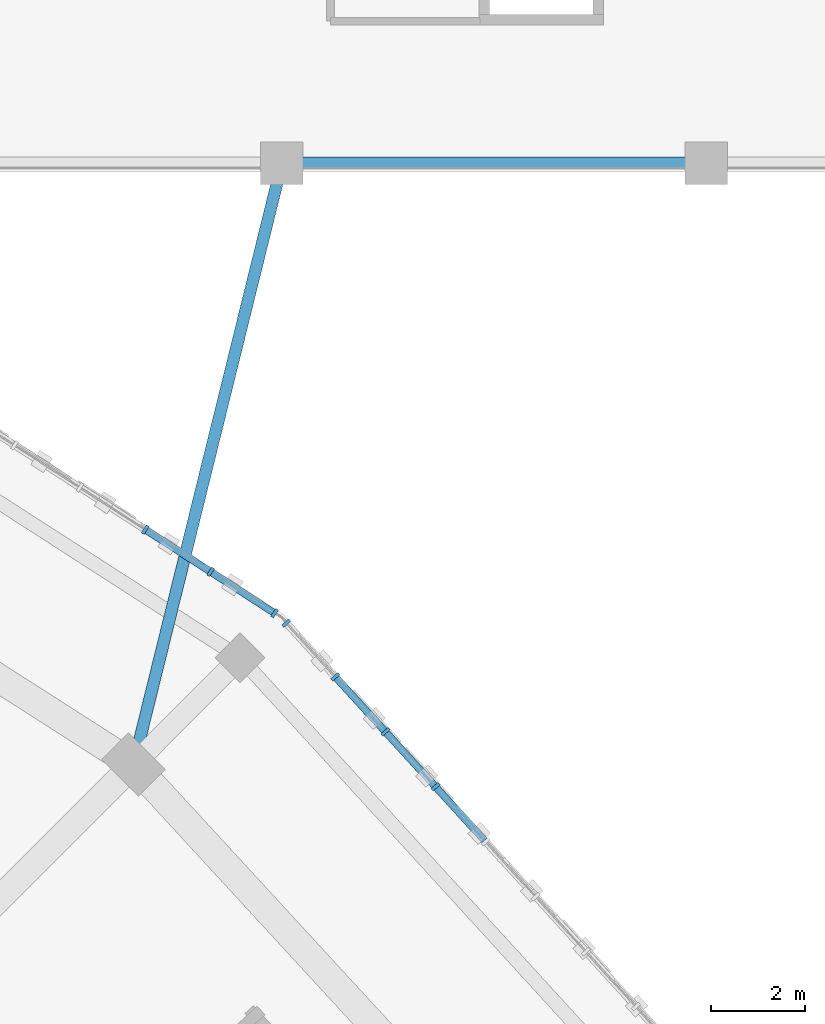
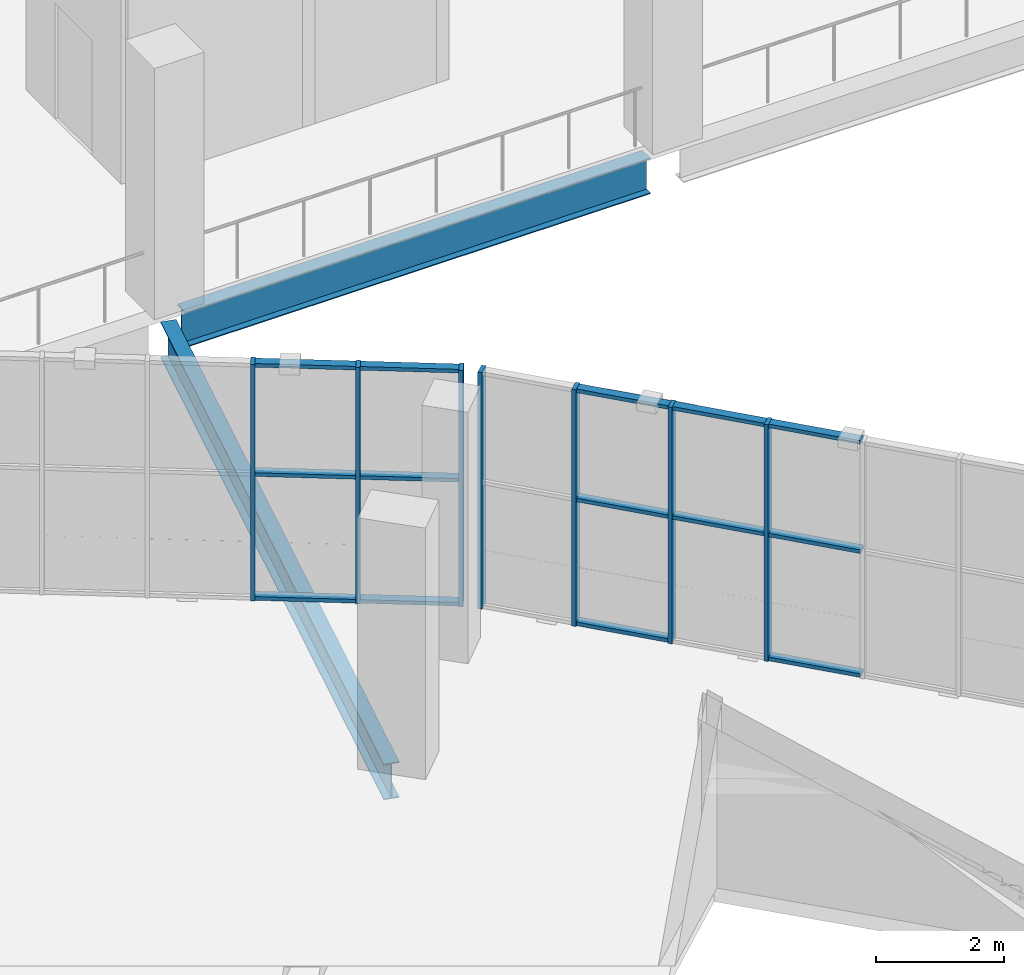
# One storey, part 63 of 183: 21 members, 2 beams, 2 elements without a shape of their own.
"""IFC4 building model written with IfcOpenShell, lengths in metres."""

from ifc_helpers import new_model, si_unit, direction, frame, origin, origin_2d, place, context, subcontext, project, spatial, rectangle, i_section, extrude, material, material_profile, profile_set, type_object, element, aggregate, save


model = new_model("IFC4")

# Units and contexts
model_context = context("Model", 3, precision=1e-05, world=origin(), true_north=direction((0.0, 1.0)))
body_context = subcontext(model_context, "Body", "Model", "MODEL_VIEW")
ifc_project = project(units=[si_unit("LENGTHUNIT", "METRE"), si_unit("AREAUNIT", "SQUARE_METRE"), si_unit("VOLUMEUNIT", "CUBIC_METRE"), si_unit("PLANEANGLEUNIT", "RADIAN"), si_unit("MASSUNIT", "GRAM", prefix="KILO")], contexts=[model_context])

# Site, building, storey
site_placement = place(None, origin())
site = spatial("IfcSite", under=ifc_project, at=site_placement, CompositionType="ELEMENT")
building_placement = place(site_placement, origin())
building = spatial("IfcBuilding", under=site, at=building_placement, Name="Zevraka Park Crest Stadium", CompositionType="ELEMENT")
storey_placement = place(building_placement, frame((0.0, 0.0, 5.39990234375)))
storey = spatial("IfcBuildingStorey", under=building, at=storey_placement, Name="L01", CompositionType="ELEMENT", Elevation=5.39990234375)

# Beams
ifc_material_1 = material(Name="Steel S355", Category="steel")
ifc_material_profile_1 = material_profile(ifc_material_1, i_section(OverallWidth=0.253662109375, OverallDepth=0.68359375, WebThickness=0.012451171875, FlangeThickness=0.01904296875, at=origin_2d()), Name="UKB 686x254x140")
ifc_profile_set_1 = profile_set([ifc_material_profile_1], Name="Steel S355")
beam_type = type_object("IfcBeamType", Name="BG05", PredefinedType="BEAM", material=ifc_profile_set_1)
beam_1_placement = place(storey_placement, frame((179.300048828125, 158.0, -0.649658203125), z_axis=(1.0, 0.0, 0.0), x_axis=(0.0, 1.0, 0.0)))
element("IfcBeam", 1, at=beam_1_placement, inside=storey, type_object=beam_type, Name="Wing Girder BG05 L01-2021/T", PredefinedType="BEAM", context=body_context, shape_type="SweptSolid", body=[
    extrude(i_section(OverallWidth=0.253662109375, OverallDepth=0.68359375, WebThickness=0.012451171875, FlangeThickness=0.01904296875, at=origin_2d()), origin(), (0.0, 0.0, 1.0), 8.39990234375),
])
beam_2_placement = place(storey_placement, frame((178.951904296875, 157.805908203125, -0.649658203125), z_axis=(-0.23959769566, -0.970872259483, 0.0), x_axis=(0.970872259483, -0.23959769566, 0.0)))
element("IfcBeam", 2, at=beam_2_placement, inside=storey, type_object=beam_type, Name="Wing Link Girder BG05 L01-20/T", PredefinedType="BEAM", context=body_context, shape_type="SweptSolid", body=[
    extrude(i_section(OverallWidth=0.253662109375, OverallDepth=0.68359375, WebThickness=0.012451171875, FlangeThickness=0.01904296875, at=origin_2d()), origin(), (0.0, 0.0, 1.0), 12.5576171875),
])

# Curtain wall, members
ifc_material_2 = material(Name="Anodised architectural aluminium and laminated safety glass", Category="aluminium")
curtain_wall_type = type_object("IfcCurtainWallType", Name="CW03", PredefinedType="NOTDEFINED", material=ifc_material_2)
curtain_wall_1_placement = place(storey_placement, origin())
curtain_wall_1 = element("IfcCurtainWall", 3, at=curtain_wall_1_placement, inside=storey, type_object=curtain_wall_type, Name="Unitised Ring Curtain Wall CW03 L01-02", PredefinedType="NOTDEFINED")
ifc_material_3 = material(Name="Anodised architectural aluminium", Category="aluminium")
ifc_material_profile_2 = material_profile(ifc_material_3, rectangle(XDim=0.199951171875, YDim=0.070068359375, at=origin_2d()), Name="ALU MULLION 200x70")
ifc_profile_set_2 = profile_set([ifc_material_profile_2], Name="Anodised architectural aluminium")
member_type_1 = type_object("IfcMemberType", Name="CM03", PredefinedType="MULLION", material=ifc_profile_set_2)
member_1_placement = place(storey_placement, frame((182.2568359375, 144.77294921875, 0.0), z_axis=(0.0, 0.0, 1.0), x_axis=(-0.739023476371, -0.673679672672, 0.0)))
member_1 = element("IfcMember", 4, at=member_1_placement, type_object=member_type_1, Name="CW03 mullion 12", PredefinedType="MULLION", context=body_context, shape_type="SweptSolid", body=[
    extrude(rectangle(XDim=0.199951171875, YDim=0.070068359375, at=origin_2d()), origin(), (0.0, 0.0, 1.0), 4.52001953125),
])
member_2_placement = place(storey_placement, frame((181.1943359375, 145.9384765625, 0.0), z_axis=(0.0, 0.0, 1.0), x_axis=(-0.739023476371, -0.673679672672, 0.0)))
member_2 = element("IfcMember", 5, at=member_2_placement, type_object=member_type_1, Name="CW03 mullion 13", PredefinedType="MULLION", context=body_context, shape_type="SweptSolid", body=[
    extrude(rectangle(XDim=0.199951171875, YDim=0.070068359375, at=origin_2d()), origin(), (0.0, 0.0, 1.0), 4.52001953125),
])
member_3_placement = place(storey_placement, frame((180.131591796875, 147.104248046875, 0.0), z_axis=(0.0, 0.0, 1.0), x_axis=(-0.739023476371, -0.673679672672, 0.0)))
member_3 = element("IfcMember", 6, at=member_3_placement, type_object=member_type_1, Name="CW03 mullion 14", PredefinedType="MULLION", context=body_context, shape_type="SweptSolid", body=[
    extrude(rectangle(XDim=0.199951171875, YDim=0.070068359375, at=origin_2d()), origin(), (0.0, 0.0, 1.0), 4.52001953125),
])
member_4_placement = place(storey_placement, frame((179.092529296875, 148.244140625, 0.0), z_axis=(0.0, 0.0, 1.0), x_axis=(-0.739023476371, -0.673679672672, 0.0)))
member_4 = element("IfcMember", 7, at=member_4_placement, type_object=member_type_1, Name="CW03 mullion 15", PredefinedType="MULLION", context=body_context, shape_type="SweptSolid", body=[
    extrude(rectangle(XDim=0.199951171875, YDim=0.070068359375, at=origin_2d()), origin(), (0.0, 0.0, 1.0), 4.52001953125),
])

curtain_wall_2_placement = place(storey_placement, origin())
curtain_wall_2 = element("IfcCurtainWall", 8, at=curtain_wall_2_placement, inside=storey, type_object=curtain_wall_type, Name="Unitised Ring Curtain Wall CW03 L01-03", PredefinedType="NOTDEFINED")
member_5_placement = place(storey_placement, frame((178.843505859375, 148.455078125, 0.0), z_axis=(0.0, 0.0, 1.0), x_axis=(-0.542570628938, -0.840010186018, 0.0)))
member_5 = element("IfcMember", 9, at=member_5_placement, type_object=member_type_1, Name="CW03 mullion 1", PredefinedType="MULLION", context=body_context, shape_type="SweptSolid", body=[
    extrude(rectangle(XDim=0.199951171875, YDim=0.070068359375, at=origin_2d()), origin(), (0.0, 0.0, 1.0), 4.52001953125),
])
member_6_placement = place(storey_placement, frame((177.4873046875, 149.3310546875, 0.0), z_axis=(0.0, 0.0, 1.0), x_axis=(-0.542570628938, -0.840010186018, 0.0)))
member_6 = element("IfcMember", 10, at=member_6_placement, type_object=member_type_1, Name="CW03 mullion 2", PredefinedType="MULLION", context=body_context, shape_type="SweptSolid", body=[
    extrude(rectangle(XDim=0.199951171875, YDim=0.070068359375, at=origin_2d()), origin(), (0.0, 0.0, 1.0), 4.52001953125),
])
member_7_placement = place(storey_placement, frame((176.101806640625, 150.22607421875, 0.0), z_axis=(0.0, 0.0, 1.0), x_axis=(-0.542570628938, -0.840010186018, 0.0)))
member_7 = element("IfcMember", 11, at=member_7_placement, type_object=member_type_1, Name="CW03 mullion 3", PredefinedType="MULLION", context=body_context, shape_type="SweptSolid", body=[
    extrude(rectangle(XDim=0.199951171875, YDim=0.070068359375, at=origin_2d()), origin(), (0.0, 0.0, 1.0), 4.52001953125),
])

# Member
ifc_material_4 = material(Name="Anodised architectural aluminium", Category="aluminium")
ifc_material_profile_3 = material_profile(ifc_material_4, rectangle(XDim=0.14990234375, YDim=0.070068359375, at=origin_2d()), Name="ALU TRANSOM 150x70")
ifc_profile_set_3 = profile_set([ifc_material_profile_3], Name="Anodised architectural aluminium")
member_type_2 = type_object("IfcMemberType", Name="CT03", PredefinedType="USERDEFINED", material=ifc_profile_set_3)
member_8_placement = place(storey_placement, frame((183.2958984375, 143.633056640625, 0.03515625), z_axis=(-0.673631587043, 0.739067307448, 0.0), x_axis=(-0.739067307448, -0.673631587043, 0.0)))
member_8 = element("IfcMember", 12, at=member_8_placement, type_object=member_type_2, Name="CW03 transom 11.1", ObjectType="TRANSOM", PredefinedType="USERDEFINED", context=body_context, shape_type="SweptSolid", body=[
    extrude(rectangle(XDim=0.14990234375, YDim=0.070068359375, at=origin_2d()), origin(), (0.0, 0.0, 1.0), 1.50732421875),
])

member_9_placement = place(storey_placement, frame((183.2958984375, 143.633056640625, 2.400146484375), z_axis=(-0.673631587043, 0.739067307448, 0.0), x_axis=(-0.739067307448, -0.673631587043, 0.0)))
member_9 = element("IfcMember", 13, at=member_9_placement, type_object=member_type_2, Name="CW03 transom 11.2", ObjectType="TRANSOM", PredefinedType="USERDEFINED", context=body_context, shape_type="SweptSolid", body=[
    extrude(rectangle(XDim=0.14990234375, YDim=0.070068359375, at=origin_2d()), origin(), (0.0, 0.0, 1.0), 1.50732421875),
])

member_10_placement = place(storey_placement, frame((183.2958984375, 143.633056640625, 4.485107421875), z_axis=(-0.673631587043, 0.739067307448, 0.0), x_axis=(-0.739067307448, -0.673631587043, 0.0)))
member_10 = element("IfcMember", 14, at=member_10_placement, type_object=member_type_2, Name="CW03 transom 11.3", ObjectType="TRANSOM", PredefinedType="USERDEFINED", context=body_context, shape_type="SweptSolid", body=[
    extrude(rectangle(XDim=0.14990234375, YDim=0.070068359375, at=origin_2d()), origin(), (0.0, 0.0, 1.0), 1.50732421875),
])

member_11_placement = place(storey_placement, frame((182.2333984375, 144.798828125, 2.400146484375), z_axis=(-0.673800680351, 0.738913149943, 0.0), x_axis=(-0.738913149943, -0.673800680351, 0.0)))
member_11 = element("IfcMember", 15, at=member_11_placement, type_object=member_type_2, Name="CW03 transom 12.2", ObjectType="TRANSOM", PredefinedType="USERDEFINED", context=body_context, shape_type="SweptSolid", body=[
    extrude(rectangle(XDim=0.14990234375, YDim=0.070068359375, at=origin_2d()), origin(), (0.0, 0.0, 1.0), 1.50732421875),
])

member_12_placement = place(storey_placement, frame((182.2333984375, 144.798828125, 4.485107421875), z_axis=(-0.673800680351, 0.738913149943, 0.0), x_axis=(-0.738913149943, -0.673800680351, 0.0)))
member_12 = element("IfcMember", 16, at=member_12_placement, type_object=member_type_2, Name="CW03 transom 12.3", ObjectType="TRANSOM", PredefinedType="USERDEFINED", context=body_context, shape_type="SweptSolid", body=[
    extrude(rectangle(XDim=0.14990234375, YDim=0.070068359375, at=origin_2d()), origin(), (0.0, 0.0, 1.0), 1.50732421875),
])

member_13_placement = place(storey_placement, frame((181.170654296875, 145.96435546875, 0.03515625), z_axis=(-0.673631587043, 0.739067307448, 0.0), x_axis=(-0.739067307448, -0.673631587043, 0.0)))
member_13 = element("IfcMember", 17, at=member_13_placement, type_object=member_type_2, Name="CW03 transom 13.1", ObjectType="TRANSOM", PredefinedType="USERDEFINED", context=body_context, shape_type="SweptSolid", body=[
    extrude(rectangle(XDim=0.14990234375, YDim=0.070068359375, at=origin_2d()), origin(), (0.0, 0.0, 1.0), 1.50732421875),
])

member_14_placement = place(storey_placement, frame((181.170654296875, 145.96435546875, 2.400146484375), z_axis=(-0.673631587043, 0.739067307448, 0.0), x_axis=(-0.739067307448, -0.673631587043, 0.0)))
member_14 = element("IfcMember", 18, at=member_14_placement, type_object=member_type_2, Name="CW03 transom 13.2", ObjectType="TRANSOM", PredefinedType="USERDEFINED", context=body_context, shape_type="SweptSolid", body=[
    extrude(rectangle(XDim=0.14990234375, YDim=0.070068359375, at=origin_2d()), origin(), (0.0, 0.0, 1.0), 1.50732421875),
])

member_15_placement = place(storey_placement, frame((181.170654296875, 145.96435546875, 4.485107421875), z_axis=(-0.673631587043, 0.739067307448, 0.0), x_axis=(-0.739067307448, -0.673631587043, 0.0)))
member_15 = element("IfcMember", 19, at=member_15_placement, type_object=member_type_2, Name="CW03 transom 13.3", ObjectType="TRANSOM", PredefinedType="USERDEFINED", context=body_context, shape_type="SweptSolid", body=[
    extrude(rectangle(XDim=0.14990234375, YDim=0.070068359375, at=origin_2d()), origin(), (0.0, 0.0, 1.0), 1.50732421875),
])

aggregate(curtain_wall_1, [member_1, member_2, member_3, member_4, member_8, member_9, member_10, member_11, member_12, member_13, member_14, member_15])

member_16_placement = place(storey_placement, frame((178.814208984375, 148.473876953125, 0.03515625), z_axis=(-0.839964330601, 0.542641615911, 0.0), x_axis=(-0.542641615911, -0.839964330601, 0.0)))
member_16 = element("IfcMember", 20, at=member_16_placement, type_object=member_type_2, Name="CW03 transom 1.1", ObjectType="TRANSOM", PredefinedType="USERDEFINED", context=body_context, shape_type="SweptSolid", body=[
    extrude(rectangle(XDim=0.14990234375, YDim=0.070068359375, at=origin_2d()), origin(), (0.0, 0.0, 1.0), 1.54443359375),
])

member_17_placement = place(storey_placement, frame((178.814208984375, 148.473876953125, 2.400146484375), z_axis=(-0.839964330601, 0.542641615911, 0.0), x_axis=(-0.542641615911, -0.839964330601, 0.0)))
member_17 = element("IfcMember", 21, at=member_17_placement, type_object=member_type_2, Name="CW03 transom 1.2", ObjectType="TRANSOM", PredefinedType="USERDEFINED", context=body_context, shape_type="SweptSolid", body=[
    extrude(rectangle(XDim=0.14990234375, YDim=0.070068359375, at=origin_2d()), origin(), (0.0, 0.0, 1.0), 1.54443359375),
])

member_18_placement = place(storey_placement, frame((178.814208984375, 148.473876953125, 4.485107421875), z_axis=(-0.839964330601, 0.542641615911, 0.0), x_axis=(-0.542641615911, -0.839964330601, 0.0)))
member_18 = element("IfcMember", 22, at=member_18_placement, type_object=member_type_2, Name="CW03 transom 1.3", ObjectType="TRANSOM", PredefinedType="USERDEFINED", context=body_context, shape_type="SweptSolid", body=[
    extrude(rectangle(XDim=0.14990234375, YDim=0.070068359375, at=origin_2d()), origin(), (0.0, 0.0, 1.0), 1.54443359375),
])

member_19_placement = place(storey_placement, frame((177.4580078125, 149.35009765625, 0.03515625), z_axis=(-0.840046715264, 0.542514070024, 0.0), x_axis=(-0.542514070024, -0.840046715264, 0.0)))
member_19 = element("IfcMember", 23, at=member_19_placement, type_object=member_type_2, Name="CW03 transom 2.1", ObjectType="TRANSOM", PredefinedType="USERDEFINED", context=body_context, shape_type="SweptSolid", body=[
    extrude(rectangle(XDim=0.14990234375, YDim=0.070068359375, at=origin_2d()), origin(), (0.0, 0.0, 1.0), 1.57958984375),
])

member_20_placement = place(storey_placement, frame((177.4580078125, 149.35009765625, 2.400146484375), z_axis=(-0.840046715264, 0.542514070024, 0.0), x_axis=(-0.542514070024, -0.840046715264, 0.0)))
member_20 = element("IfcMember", 24, at=member_20_placement, type_object=member_type_2, Name="CW03 transom 2.2", ObjectType="TRANSOM", PredefinedType="USERDEFINED", context=body_context, shape_type="SweptSolid", body=[
    extrude(rectangle(XDim=0.14990234375, YDim=0.070068359375, at=origin_2d()), origin(), (0.0, 0.0, 1.0), 1.57958984375),
])

member_21_placement = place(storey_placement, frame((177.4580078125, 149.35009765625, 4.485107421875), z_axis=(-0.840046715264, 0.542514070024, 0.0), x_axis=(-0.542514070024, -0.840046715264, 0.0)))
member_21 = element("IfcMember", 25, at=member_21_placement, type_object=member_type_2, Name="CW03 transom 2.3", ObjectType="TRANSOM", PredefinedType="USERDEFINED", context=body_context, shape_type="SweptSolid", body=[
    extrude(rectangle(XDim=0.14990234375, YDim=0.070068359375, at=origin_2d()), origin(), (0.0, 0.0, 1.0), 1.57958984375),
])

aggregate(curtain_wall_2, [member_5, member_6, member_7, member_16, member_17, member_18, member_19, member_20, member_21])

save(model, "model.ifc")
